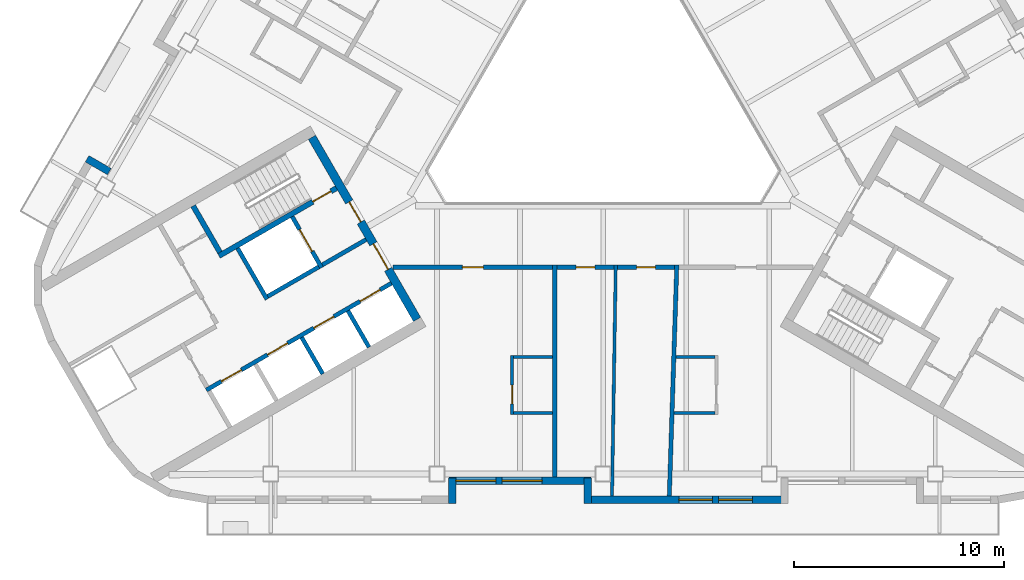
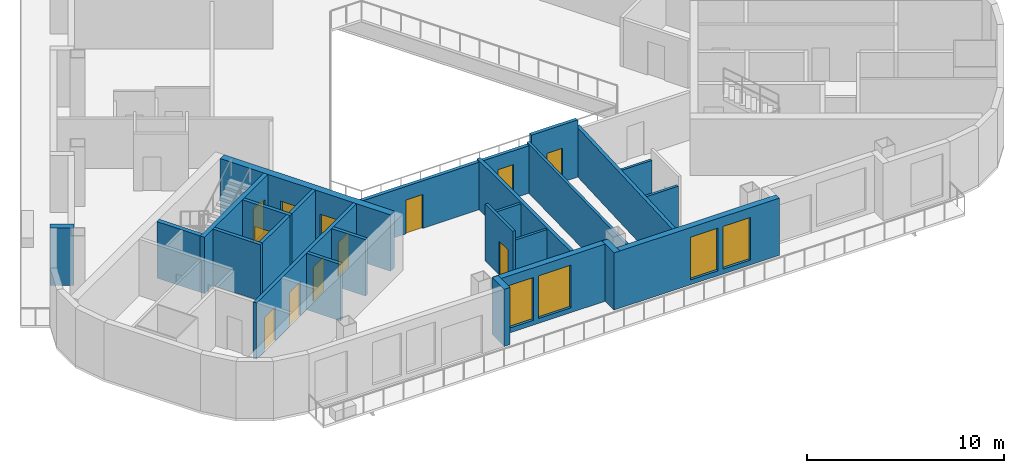
# One storey, part 3 of 14: 26 walls, 12 doors, 4 windows, 16 openings.
"""IFC4 building model written with IfcOpenShell, lengths in metres."""

from ifc_helpers import new_model, si_unit, direction, frame, frame_2d, origin, place, context, subcontext, project, spatial, rectangle, extrude, material, layer, layer_set, type_object, element, fill, save


model = new_model("IFC4")

# Units and contexts
model_context = context("Model", 3, precision=1e-05, world=origin(), true_north=direction((0.0, 1.0)))
body_context = subcontext(model_context, "Body", "Model", "MODEL_VIEW")
ifc_project = project(units=[si_unit("LENGTHUNIT", "METRE"), si_unit("AREAUNIT", "SQUARE_METRE"), si_unit("VOLUMEUNIT", "CUBIC_METRE"), si_unit("PLANEANGLEUNIT", "RADIAN"), si_unit("MASSUNIT", "GRAM", prefix="KILO")], contexts=[model_context])

# Site, building, storey
site_placement = place(None, origin())
site = spatial("IfcSite", under=ifc_project, at=site_placement, CompositionType="ELEMENT")
building_placement = place(site_placement, origin())
building = spatial("IfcBuilding", under=site, at=building_placement, Name="Apuvela Tower Hotel", CompositionType="ELEMENT")
storey_placement = place(building_placement, frame((0.0, 0.0, 209.5)))
storey = spatial("IfcBuildingStorey", under=building, at=storey_placement, Name="L51", CompositionType="ELEMENT", Elevation=209.5)

# Wall, openings, doors
ifc_material_1 = material(Name="Concrete C50/60", Category="concrete")
ifc_layer_1 = layer(ifc_material_1, 0.39990234375)
ifc_layer_set_1 = layer_set([ifc_layer_1], Name="COR-WALL-CORE-400")
wall_type_1 = type_object("IfcWallType", Name="COR-WALL-CORE-400", PredefinedType="SHEAR", material=ifc_layer_set_1)
wall_1_placement = place(storey_placement, frame((-13.844970703125, -2.219970703125, 0.0), z_axis=(0.0, 0.0, 1.0), x_axis=(0.500004234368, -0.866022959057, 0.0)))
wall_1 = element("IfcWall", 1, at=wall_1_placement, inside=storey, type_object=wall_type_1, Name="Core wall SW", PredefinedType="SHEAR", context=body_context, shape_type="SweptSolid", body=[
    extrude(rectangle(XDim=10.0, YDim=0.39990234375, at=frame_2d((5.0, 0.0))), origin(), (0.0, 0.0, 1.0), 3.5),
])
opening_1_placement = place(wall_1_placement, frame((3.550048828125, 0.0, 0.0)))
opening_1 = element("IfcOpeningElement", 2, at=opening_1_placement, cuts=wall_1, Name="Opening W-FD", PredefinedType="OPENING", context=body_context, shape_type="SweptSolid", body=[
    extrude(rectangle(XDim=1.10009765625, YDim=2.10009765625, at=frame_2d((0.550048828125, 1.050048828125))), frame((0.0, 0.2099609375, 0.0), z_axis=(0.0, -1.0, 0.0), x_axis=(1.0, 0.0, 0.0)), (0.0, 0.0, 1.0), 0.419921875),
])
opening_2_placement = place(wall_1_placement, frame((5.85009765625, 0.0, 0.0)))
opening_2 = element("IfcOpeningElement", 3, at=opening_2_placement, cuts=wall_1, Name="Opening W-GD", PredefinedType="OPENING", context=body_context, shape_type="SweptSolid", body=[
    extrude(rectangle(XDim=1.39990234375, YDim=2.10009765625, at=frame_2d((0.699951171875, 1.050048828125))), frame((0.0, 0.2099609375, 0.0), z_axis=(0.0, -1.0, 0.0), x_axis=(1.0, 0.0, 0.0)), (0.0, 0.0, 1.0), 0.419921875),
])
ifc_material_2 = material(Name="Steel fire door, powder coated", Category="steel")
door_type_1 = type_object("IfcDoorType", Name="COR-FD-1100", OperationType="NOTDEFINED", PredefinedType="DOOR", material=ifc_material_2)
door_1_placement = place(opening_1_placement, frame((1.10009765625, 0.0, 0.0), z_axis=(0.0, 0.0, 1.0), x_axis=(-1.0, 0.0, 0.0)))
door_1 = element("IfcDoor", 4, at=door_1_placement, inside=storey, type_object=door_type_1, Name="Firefighting lobby door W-FD", OperationType="SINGLE_SWING_LEFT", OverallHeight=2.10009765625, OverallWidth=1.10009765625, PredefinedType="DOOR", context=body_context, shape_type="SweptSolid", body=[
    extrude(rectangle(XDim=1.10009765625, YDim=2.10009765625, at=frame_2d((0.550048828125, 1.050048828125))), frame((0.0, 0.02490234375, 0.0), z_axis=(0.0, -1.0, 0.0), x_axis=(1.0, 0.0, 0.0)), (0.0, 0.0, 1.0), 0.050048828125),
])
fill(opening_1, door_1)
ifc_material_3 = material(Name="Glazed steel fire door", Category="steel")
door_type_2 = type_object("IfcDoorType", Name="COR-GD-1400", OperationType="DOUBLE_DOOR_SINGLE_SWING", PredefinedType="DOOR", material=ifc_material_3)
door_2_placement = place(opening_2_placement, frame((1.39990234375, 0.0, 0.0), z_axis=(0.0, 0.0, 1.0), x_axis=(-1.0, 0.0, 0.0)))
door_2 = element("IfcDoor", 5, at=door_2_placement, inside=storey, type_object=door_type_2, Name="Lift lobby door W-GD", OperationType="DOUBLE_DOOR_SINGLE_SWING", OverallHeight=2.10009765625, OverallWidth=1.39990234375, PredefinedType="DOOR", context=body_context, shape_type="SweptSolid", body=[
    extrude(rectangle(XDim=1.39990234375, YDim=2.10009765625, at=frame_2d((0.699951171875, 1.050048828125))), frame((0.0, 0.02490234375, 0.0), z_axis=(0.0, -1.0, 0.0), x_axis=(1.0, 0.0, 0.0)), (0.0, 0.0, 1.0), 0.050048828125),
])
fill(opening_2, door_2)

# Wall
ifc_layer_2 = layer(ifc_material_1, 0.199951171875)
ifc_layer_set_2 = layer_set([ifc_layer_2], Name="COR-WALL-SHAFT-200")
wall_type_2 = type_object("IfcWallType", Name="COR-WALL-SHAFT-200", PredefinedType="SHEAR", material=ifc_layer_set_2)
wall_2_placement = place(storey_placement, frame((-17.38134765625, -7.49462890625, 0.0), z_axis=(0.0, 0.0, 1.0), x_axis=(0.500011755427, -0.866018616679, 0.0)))
element("IfcWall", 6, at=wall_2_placement, inside=storey, type_object=wall_type_2, Name="Shaft wall SW", PredefinedType="SHEAR", context=body_context, shape_type="SweptSolid", body=[
    extrude(rectangle(XDim=2.80029296875, YDim=0.199951171875, at=frame_2d((1.400146484375, 0.0))), origin(), (0.0, 0.0, 1.0), 3.5),
])

# Wall, opening, door
wall_3_placement = place(storey_placement, frame((-14.783203125, -5.99462890625, 0.0), z_axis=(0.0, 0.0, 1.0), x_axis=(0.49994636267, -0.866056369097, 0.0)))
wall_3 = element("IfcWall", 7, at=wall_3_placement, inside=storey, type_object=wall_type_2, Name="Shaft wall SW", PredefinedType="SHEAR", context=body_context, shape_type="SweptSolid", body=[
    extrude(rectangle(XDim=2.800048828125, YDim=0.199951171875, at=frame_2d((1.39990234375, 0.0))), origin(), (0.0, 0.0, 1.0), 3.5),
])
opening_3_placement = place(wall_3_placement, frame((0.699951171875, 0.0, 0.0)))
opening_3 = element("IfcOpeningElement", 8, at=opening_3_placement, cuts=wall_3, Name="Opening W-LD-FS2", PredefinedType="OPENING", context=body_context, shape_type="SweptSolid", body=[
    extrude(rectangle(XDim=1.199951171875, YDim=2.10009765625, at=frame_2d((0.60009765625, 1.050048828125))), frame((0.0, 0.10986328125, 0.0), z_axis=(0.0, -1.0, 0.0), x_axis=(1.0, 0.0, 0.0)), (0.0, 0.0, 1.0), 0.219970703125),
])
ifc_material_4 = material(Name="Stainless steel lift landing door", Category="steel")
door_type_3 = type_object("IfcDoorType", Name="COR-LD-1200", OperationType="DOUBLE_DOOR_SLIDING", PredefinedType="DOOR", material=ifc_material_4)
door_3_placement = place(opening_3_placement, origin())
door_3 = element("IfcDoor", 9, at=door_3_placement, inside=storey, type_object=door_type_3, Name="Lift landing door W-LD-FS2", OperationType="DOUBLE_DOOR_SLIDING", OverallHeight=2.10009765625, OverallWidth=1.199951171875, PredefinedType="DOOR", context=body_context, shape_type="SweptSolid", body=[
    extrude(rectangle(XDim=1.199951171875, YDim=2.10009765625, at=frame_2d((0.60009765625, 1.050048828125))), frame((0.0, 0.02490234375, 0.0), z_axis=(0.0, -1.0, 0.0), x_axis=(1.0, 0.0, 0.0)), (0.0, 0.0, 1.0), 0.050048828125),
])
fill(opening_3, door_3)

# Walls
wall_4_placement = place(storey_placement, frame((-13.519775390625, -8.383056640625, 0.0), z_axis=(0.0, 0.0, 1.0), x_axis=(-0.866034573852, -0.49998411664, 0.0)))
element("IfcWall", 10, at=wall_4_placement, inside=storey, type_object=wall_type_2, Name="Shaft wall SW", PredefinedType="SHEAR", context=body_context, shape_type="SweptSolid", body=[
    extrude(rectangle(XDim=2.7998046875, YDim=0.199951171875, at=frame_2d((1.39990234375, 0.0))), origin(), (0.0, 0.0, 1.0), 3.5),
])
wall_5_placement = place(storey_placement, frame((-11.26806640625, -7.0830078125, 0.0), z_axis=(0.0, 0.0, 1.0), x_axis=(-0.866050077142, -0.499957262057, 0.0)))
element("IfcWall", 11, at=wall_5_placement, inside=storey, type_object=wall_type_2, Name="Shaft wall SW", PredefinedType="SHEAR", context=body_context, shape_type="SweptSolid", body=[
    extrude(rectangle(XDim=2.400146484375, YDim=0.199951171875, at=frame_2d((1.2001953125, 0.0))), origin(), (0.0, 0.0, 1.0), 3.5),
])

# Wall, openings, doors
wall_6_placement = place(storey_placement, frame((-10.068115234375, -9.16162109375, 0.0), z_axis=(0.0, 0.0, 1.0), x_axis=(-0.866032725843, -0.499987317609, 0.0)))
wall_6 = element("IfcWall", 12, at=wall_6_placement, inside=storey, type_object=wall_type_2, Name="Shaft wall SW", PredefinedType="SHEAR", context=body_context, shape_type="SweptSolid", body=[
    extrude(rectangle(XDim=10.159912109375, YDim=0.199951171875, at=frame_2d((5.080078125, 0.0))), origin(), (0.0, 0.0, 1.0), 3.5),
])
opening_4_placement = place(wall_6_placement, frame((0.6201171875, 0.0, 0.0)))
opening_4 = element("IfcOpeningElement", 13, at=opening_4_placement, cuts=wall_6, Name="Opening W-LD-MR1", PredefinedType="OPENING", context=body_context, shape_type="SweptSolid", body=[
    extrude(rectangle(XDim=1.10009765625, YDim=2.10009765625, at=frame_2d((0.550048828125, 1.050048828125))), frame((0.0, 0.10986328125, 0.0), z_axis=(0.0, -1.0, 0.0), x_axis=(1.0, 0.0, 0.0)), (0.0, 0.0, 1.0), 0.219970703125),
])
opening_5_placement = place(wall_6_placement, frame((3.159912109375, 0.0, 0.0)))
opening_5 = element("IfcOpeningElement", 14, at=opening_5_placement, cuts=wall_6, Name="Opening W-LD-MR2", PredefinedType="OPENING", context=body_context, shape_type="SweptSolid", body=[
    extrude(rectangle(XDim=1.10009765625, YDim=2.10009765625, at=frame_2d((0.550048828125, 1.050048828125))), frame((0.0, 0.10986328125, 0.0), z_axis=(0.0, -1.0, 0.0), x_axis=(1.0, 0.0, 0.0)), (0.0, 0.0, 1.0), 0.219970703125),
])
opening_6_placement = place(wall_6_placement, frame((5.699951171875, 0.0, 0.0)))
opening_6 = element("IfcOpeningElement", 15, at=opening_6_placement, cuts=wall_6, Name="Opening W-LD-MR3", PredefinedType="OPENING", context=body_context, shape_type="SweptSolid", body=[
    extrude(rectangle(XDim=1.10009765625, YDim=2.10009765625, at=frame_2d((0.550048828125, 1.050048828125))), frame((0.0, 0.10986328125, 0.0), z_axis=(0.0, -1.0, 0.0), x_axis=(1.0, 0.0, 0.0)), (0.0, 0.0, 1.0), 0.219970703125),
])
opening_7_placement = place(wall_6_placement, frame((8.239990234375, 0.0, 0.0)))
opening_7 = element("IfcOpeningElement", 16, at=opening_7_placement, cuts=wall_6, Name="Opening W-LD-MR4", PredefinedType="OPENING", context=body_context, shape_type="SweptSolid", body=[
    extrude(rectangle(XDim=1.10009765625, YDim=2.10009765625, at=frame_2d((0.550048828125, 1.050048828125))), frame((0.0, 0.10986328125, 0.0), z_axis=(0.0, -1.0, 0.0), x_axis=(1.0, 0.0, 0.0)), (0.0, 0.0, 1.0), 0.219970703125),
])
door_type_4 = type_object("IfcDoorType", Name="COR-LD-1100", OperationType="DOUBLE_DOOR_SLIDING", PredefinedType="DOOR", material=ifc_material_4)
door_4_placement = place(opening_4_placement, origin())
door_4 = element("IfcDoor", 17, at=door_4_placement, inside=storey, type_object=door_type_4, Name="Lift landing door W-LD-MR1", OperationType="DOUBLE_DOOR_SLIDING", OverallHeight=2.10009765625, OverallWidth=1.10009765625, PredefinedType="DOOR", context=body_context, shape_type="SweptSolid", body=[
    extrude(rectangle(XDim=1.10009765625, YDim=2.10009765625, at=frame_2d((0.550048828125, 1.050048828125))), frame((0.0, 0.02490234375, 0.0), z_axis=(0.0, -1.0, 0.0), x_axis=(1.0, 0.0, 0.0)), (0.0, 0.0, 1.0), 0.050048828125),
])
fill(opening_4, door_4)
door_5_placement = place(opening_5_placement, origin())
door_5 = element("IfcDoor", 18, at=door_5_placement, inside=storey, type_object=door_type_4, Name="Lift landing door W-LD-MR2", OperationType="DOUBLE_DOOR_SLIDING", OverallHeight=2.10009765625, OverallWidth=1.10009765625, PredefinedType="DOOR", context=body_context, shape_type="SweptSolid", body=[
    extrude(rectangle(XDim=1.10009765625, YDim=2.10009765625, at=frame_2d((0.550048828125, 1.050048828125))), frame((0.0, 0.02490234375, 0.0), z_axis=(0.0, -1.0, 0.0), x_axis=(1.0, 0.0, 0.0)), (0.0, 0.0, 1.0), 0.050048828125),
])
fill(opening_5, door_5)
door_6_placement = place(opening_6_placement, origin())
door_6 = element("IfcDoor", 19, at=door_6_placement, inside=storey, type_object=door_type_4, Name="Lift landing door W-LD-MR3", OperationType="DOUBLE_DOOR_SLIDING", OverallHeight=2.10009765625, OverallWidth=1.10009765625, PredefinedType="DOOR", context=body_context, shape_type="SweptSolid", body=[
    extrude(rectangle(XDim=1.10009765625, YDim=2.10009765625, at=frame_2d((0.550048828125, 1.050048828125))), frame((0.0, 0.02490234375, 0.0), z_axis=(0.0, -1.0, 0.0), x_axis=(1.0, 0.0, 0.0)), (0.0, 0.0, 1.0), 0.050048828125),
])
fill(opening_6, door_6)
door_7_placement = place(opening_7_placement, origin())
door_7 = element("IfcDoor", 20, at=door_7_placement, inside=storey, type_object=door_type_4, Name="Lift landing door W-LD-MR4", OperationType="DOUBLE_DOOR_SLIDING", OverallHeight=2.10009765625, OverallWidth=1.10009765625, PredefinedType="DOOR", context=body_context, shape_type="SweptSolid", body=[
    extrude(rectangle(XDim=1.10009765625, YDim=2.10009765625, at=frame_2d((0.550048828125, 1.050048828125))), frame((0.0, 0.02490234375, 0.0), z_axis=(0.0, -1.0, 0.0), x_axis=(1.0, 0.0, 0.0)), (0.0, 0.0, 1.0), 0.050048828125),
])
fill(opening_7, door_7)

# Walls
for number, where, z_axis, x_axis, name in (
    (21, (-12.131103515625, -10.468017578125, 0.0), (0.0, 0.0, 1.0), (0.499972520799, -0.866041268327, 0.0), "Shaft wall SW"),
    (22, (-14.330810546875, -11.738037109375, 0.0), (0.0, 0.0, 1.0), (0.499972520799, -0.866041268327, 0.0), "Shaft wall SW"),
):
    element("IfcWall", number, at=place(storey_placement, frame(where, z_axis=z_axis, x_axis=x_axis)), inside=storey, type_object=wall_type_2, Name=name, PredefinedType="SHEAR", context=body_context, shape_type="SweptSolid", body=[
        extrude(rectangle(XDim=2.0, YDim=0.199951171875, at=frame_2d((1.0, 0.0))), origin(), (0.0, 0.0, 1.0), 3.5),
    ])

# Wall, opening, door
ifc_layer_3 = layer(ifc_material_1, 0.25)
ifc_layer_set_3 = layer_set([ifc_layer_3], Name="COR-WALL-STAIR-250")
wall_type_3 = type_object("IfcWallType", Name="COR-WALL-STAIR-250", PredefinedType="SHEAR", material=ifc_layer_set_3)
wall_7_placement = place(storey_placement, frame((-12.6806640625, -4.636474609375, 0.0), z_axis=(0.0, 0.0, 1.0), x_axis=(-0.866021702275, -0.500006411147, 0.0)))
wall_7 = element("IfcWall", 23, at=wall_7_placement, inside=storey, type_object=wall_type_3, Name="Stair wall SW", PredefinedType="SHEAR", context=body_context, shape_type="SweptSolid", body=[
    extrude(rectangle(XDim=6.4501953125, YDim=0.25, at=frame_2d((3.22509765625, 0.0))), origin(), (0.0, 0.0, 1.0), 3.5),
])
opening_8_placement = place(wall_7_placement, frame((0.300048828125, 0.0, 0.0)))
opening_8 = element("IfcOpeningElement", 24, at=opening_8_placement, cuts=wall_7, Name="Opening W-SD", PredefinedType="OPENING", context=body_context, shape_type="SweptSolid", body=[
    extrude(rectangle(XDim=1.0, YDim=2.10009765625, at=frame_2d((0.5, 1.050048828125))), frame((0.0, 0.135009765625, 0.0), z_axis=(0.0, -1.0, 0.0), x_axis=(1.0, 0.0, 0.0)), (0.0, 0.0, 1.0), 0.27001953125),
])
door_type_5 = type_object("IfcDoorType", Name="COR-SD-1000", OperationType="NOTDEFINED", PredefinedType="DOOR", material=ifc_material_2)
door_8_placement = place(opening_8_placement, frame((1.0, 0.0, 0.0), z_axis=(0.0, 0.0, 1.0), x_axis=(-1.0, 0.0, 0.0)))
door_8 = element("IfcDoor", 25, at=door_8_placement, inside=storey, type_object=door_type_5, Name="Stair door W-SD", OperationType="SINGLE_SWING_LEFT", OverallHeight=2.10009765625, OverallWidth=1.0, PredefinedType="DOOR", context=body_context, shape_type="SweptSolid", body=[
    extrude(rectangle(XDim=1.0, YDim=2.10009765625, at=frame_2d((0.5, 1.050048828125))), frame((0.0, 0.02490234375, 0.0), z_axis=(0.0, -1.0, 0.0), x_axis=(1.0, 0.0, 0.0)), (0.0, 0.0, 1.0), 0.050048828125),
])
fill(opening_8, door_8)

# Walls
wall_8_placement = place(storey_placement, frame((-19.49560546875, -5.482421875, 0.0), z_axis=(0.0, 0.0, 1.0), x_axis=(0.499990435942, -0.866030925526, 0.0)))
element("IfcWall", 26, at=wall_8_placement, inside=storey, type_object=wall_type_3, Name="Stair wall SW", PredefinedType="SHEAR", context=body_context, shape_type="SweptSolid", body=[
    extrude(rectangle(XDim=2.5498046875, YDim=0.25, at=frame_2d((1.27490234375, 0.0))), origin(), (0.0, 0.0, 1.0), 3.5),
])
ifc_material_5 = material(Name="Concrete C40/50, dark pigmented precast panel", Category="concrete")
ifc_layer_4 = layer(ifc_material_5, 0.35009765625)
ifc_layer_set_4 = layer_set([ifc_layer_4], Name="ENV-WALL-350")
wall_type_4 = type_object("IfcWallType", Name="ENV-WALL-350", PredefinedType="SOLIDWALL", material=ifc_layer_set_4)
for number, where, z_axis, x_axis, name in (
    (27, (-23.48095703125, -3.85009765625, 0.0), (0.0, 0.0, 1.0), (-0.866092288191, 0.499884134912, 0.0), "External wall L51-08"),
    (28, (-7.175048828125, -19.6298828125, 0.0), (0.0, 0.0, 1.0), (0.0, 1.0, 0.0), "External wall L51-18"),
):
    element("IfcWall", number, at=place(storey_placement, frame(where, z_axis=z_axis, x_axis=x_axis)), inside=storey, type_object=wall_type_4, Name=name, PredefinedType="SOLIDWALL", context=body_context, shape_type="SweptSolid", body=[
        extrude(rectangle(XDim=1.219970703125, YDim=0.35009765625, at=frame_2d((0.60986328125, 0.0))), origin(), (0.0, 0.0, 1.0), 3.550048828125),
    ])

# Wall, openings, windows
wall_9_placement = place(storey_placement, frame((-7.320068359375, -18.554931640625, 0.0), z_axis=(0.0, 0.0, 1.0), x_axis=(1.0, 0.0, 0.0)))
wall_9 = element("IfcWall", 29, at=wall_9_placement, inside=storey, type_object=wall_type_4, Name="External wall L51-19", PredefinedType="SOLIDWALL", context=body_context, shape_type="SweptSolid", body=[
    extrude(rectangle(XDim=6.739990234375, YDim=0.35009765625, at=frame_2d((3.3701171875, 0.0))), origin(), (0.0, 0.0, 1.0), 3.550048828125),
])
opening_9_placement = place(wall_9_placement, frame((0.3203125, 0.0, 0.300048828125)))
opening_9 = element("IfcOpeningElement", 30, at=opening_9_placement, cuts=wall_9, Name="Opening WN19", PredefinedType="OPENING", context=body_context, shape_type="SweptSolid", body=[
    extrude(rectangle(XDim=1.89990234375, YDim=2.64990234375, at=frame_2d((0.949951171875, 1.324951171875))), frame((0.0, 0.18505859375, 0.0), z_axis=(0.0, -1.0, 0.0), x_axis=(1.0, 0.0, 0.0)), (0.0, 0.0, 1.0), 0.3701171875),
])
opening_10_placement = place(wall_9_placement, frame((2.5205078125, 0.0, 0.300048828125)))
opening_10 = element("IfcOpeningElement", 31, at=opening_10_placement, cuts=wall_9, Name="Opening WN19", PredefinedType="OPENING", context=body_context, shape_type="SweptSolid", body=[
    extrude(rectangle(XDim=1.89990234375, YDim=2.64990234375, at=frame_2d((0.949951171875, 1.324951171875))), frame((0.0, 0.18505859375, 0.0), z_axis=(0.0, -1.0, 0.0), x_axis=(1.0, 0.0, 0.0)), (0.0, 0.0, 1.0), 0.3701171875),
])
ifc_material_6 = material(Name="Glass, dark tinted laminated insulated glazing unit", Category="glass")
window_type_1 = type_object("IfcWindowType", Name="ENV-WIN-1900x2650", PartitioningType="SINGLE_PANEL", PredefinedType="WINDOW", material=ifc_material_6)
window_1_placement = place(opening_9_placement, origin())
window_1 = element("IfcWindow", 32, at=window_1_placement, inside=storey, type_object=window_type_1, Name="Window WN19", OverallHeight=2.64990234375, OverallWidth=1.89990234375, PartitioningType="SINGLE_PANEL", PredefinedType="WINDOW", context=body_context, shape_type="SweptSolid", body=[
    extrude(rectangle(XDim=1.89990234375, YDim=2.64990234375, at=frame_2d((0.949951171875, 1.324951171875))), frame((0.0, 0.030029296875, 0.0), z_axis=(0.0, -1.0, 0.0), x_axis=(1.0, 0.0, 0.0)), (0.0, 0.0, 1.0), 0.06005859375),
])
fill(opening_9, window_1)
window_2_placement = place(opening_10_placement, origin())
window_2 = element("IfcWindow", 33, at=window_2_placement, inside=storey, type_object=window_type_1, Name="Window WN19", OverallHeight=2.64990234375, OverallWidth=1.89990234375, PartitioningType="SINGLE_PANEL", PredefinedType="WINDOW", context=body_context, shape_type="SweptSolid", body=[
    extrude(rectangle(XDim=1.89990234375, YDim=2.64990234375, at=frame_2d((0.949951171875, 1.324951171875))), frame((0.0, 0.030029296875, 0.0), z_axis=(0.0, -1.0, 0.0), x_axis=(1.0, 0.0, 0.0)), (0.0, 0.0, 1.0), 0.06005859375),
])
fill(opening_10, window_2)

# Wall
wall_10_placement = place(storey_placement, frame((-0.72509765625, -18.409912109375, 0.0), z_axis=(0.0, 0.0, 1.0), x_axis=(0.0, -1.0, 0.0)))
element("IfcWall", 34, at=wall_10_placement, inside=storey, type_object=wall_type_4, Name="External wall L51-20", PredefinedType="SOLIDWALL", context=body_context, shape_type="SweptSolid", body=[
    extrude(rectangle(XDim=1.219970703125, YDim=0.35009765625, at=frame_2d((0.60986328125, 0.0))), origin(), (0.0, 0.0, 1.0), 3.550048828125),
])

# Wall, openings, windows
wall_11_placement = place(storey_placement, frame((-0.89990234375, -19.455078125, 0.0), z_axis=(0.0, 0.0, 1.0), x_axis=(1.0, 0.0, 0.0)))
wall_11 = element("IfcWall", 35, at=wall_11_placement, inside=storey, type_object=wall_type_4, Name="External wall L51-21", PredefinedType="SOLIDWALL", context=body_context, shape_type="SweptSolid", body=[
    extrude(rectangle(XDim=9.699951171875, YDim=0.35009765625, at=frame_2d((4.85009765625, 0.0))), origin(), (0.0, 0.0, 1.0), 3.550048828125),
])
opening_11_placement = place(wall_11_placement, frame((4.5, 0.0, 0.300048828125)))
opening_11 = element("IfcOpeningElement", 36, at=opening_11_placement, cuts=wall_11, Name="Opening WN16", PredefinedType="OPENING", context=body_context, shape_type="SweptSolid", body=[
    extrude(rectangle(XDim=1.60009765625, YDim=2.64990234375, at=frame_2d((0.800048828125, 1.324951171875))), frame((0.0, 0.18505859375, 0.0), z_axis=(0.0, -1.0, 0.0), x_axis=(1.0, 0.0, 0.0)), (0.0, 0.0, 1.0), 0.3701171875),
])
opening_12_placement = place(wall_11_placement, frame((6.39990234375, 0.0, 0.300048828125)))
opening_12 = element("IfcOpeningElement", 37, at=opening_12_placement, cuts=wall_11, Name="Opening WN16", PredefinedType="OPENING", context=body_context, shape_type="SweptSolid", body=[
    extrude(rectangle(XDim=1.60009765625, YDim=2.64990234375, at=frame_2d((0.800048828125, 1.324951171875))), frame((0.0, 0.18505859375, 0.0), z_axis=(0.0, -1.0, 0.0), x_axis=(1.0, 0.0, 0.0)), (0.0, 0.0, 1.0), 0.3701171875),
])
window_type_2 = type_object("IfcWindowType", Name="ENV-WIN-1600x2650", PartitioningType="SINGLE_PANEL", PredefinedType="WINDOW", material=ifc_material_6)
window_3_placement = place(opening_11_placement, origin())
window_3 = element("IfcWindow", 38, at=window_3_placement, inside=storey, type_object=window_type_2, Name="Window WN16", OverallHeight=2.64990234375, OverallWidth=1.60009765625, PartitioningType="SINGLE_PANEL", PredefinedType="WINDOW", context=body_context, shape_type="SweptSolid", body=[
    extrude(rectangle(XDim=1.60009765625, YDim=2.64990234375, at=frame_2d((0.800048828125, 1.324951171875))), frame((0.0, 0.030029296875, 0.0), z_axis=(0.0, -1.0, 0.0), x_axis=(1.0, 0.0, 0.0)), (0.0, 0.0, 1.0), 0.06005859375),
])
fill(opening_11, window_3)
window_4_placement = place(opening_12_placement, origin())
window_4 = element("IfcWindow", 39, at=window_4_placement, inside=storey, type_object=window_type_2, Name="Window WN16", OverallHeight=2.64990234375, OverallWidth=1.60009765625, PartitioningType="SINGLE_PANEL", PredefinedType="WINDOW", context=body_context, shape_type="SweptSolid", body=[
    extrude(rectangle(XDim=1.60009765625, YDim=2.64990234375, at=frame_2d((0.800048828125, 1.324951171875))), frame((0.0, 0.030029296875, 0.0), z_axis=(0.0, -1.0, 0.0), x_axis=(1.0, 0.0, 0.0)), (0.0, 0.0, 1.0), 0.06005859375),
])
fill(opening_12, window_4)

# Walls
ifc_material_7 = material(Name="Gypsum board partition on twin steel stud", Category="steel")
ifc_layer_5 = layer(ifc_material_7, 0.199951171875)
ifc_layer_set_5 = layer_set([ifc_layer_5], Name="GST-PW1")
wall_type_5 = type_object("IfcWallType", Name="GST-PW1", PredefinedType="PARTITIONING", material=ifc_layer_set_5)
wall_12_placement = place(storey_placement, frame((-2.300048828125, -18.3798828125, 0.0), z_axis=(0.0, 0.0, 1.0), x_axis=(0.0, 1.0, 0.0)))
element("IfcWall", 40, at=wall_12_placement, inside=storey, type_object=wall_type_5, Name="L51 partition 01", PredefinedType="PARTITIONING", context=body_context, shape_type="SweptSolid", body=[
    extrude(rectangle(XDim=10.079833984375, YDim=0.199951171875, at=frame_2d((5.0400390625, 0.0))), origin(), (0.0, 0.0, 1.0), 3.06005859375),
])
wall_13_placement = place(storey_placement, frame((3.14990234375, -19.280029296875, 0.0), z_axis=(0.0, 0.0, 1.0), x_axis=(0.032468308586, 0.999472765481, 0.0)))
element("IfcWall", 41, at=wall_13_placement, inside=storey, type_object=wall_type_5, Name="L51 partition 02", PredefinedType="PARTITIONING", context=body_context, shape_type="SweptSolid", body=[
    extrude(rectangle(XDim=10.98583984375, YDim=0.199951171875, at=frame_2d((5.492919921875, 0.0))), origin(), (0.0, 0.0, 1.0), 3.06005859375),
])

# Wall, opening, door
ifc_material_8 = material(Name="Gypsum board corridor wall on twin steel stud, acoustic", Category="steel")
ifc_layer_6 = layer(ifc_material_8, 0.199951171875)
ifc_layer_set_6 = layer_set([ifc_layer_6], Name="GST-PW2")
wall_type_6 = type_object("IfcWallType", Name="GST-PW2", PredefinedType="PARTITIONING", material=ifc_layer_set_6)
wall_14_placement = place(storey_placement, frame((-2.39990234375, -8.39990234375, 0.0), z_axis=(0.0, 0.0, 1.0), x_axis=(-1.0, 0.0, 0.0)))
wall_14 = element("IfcWall", 42, at=wall_14_placement, inside=storey, type_object=wall_type_6, Name="L51 partition 07", PredefinedType="PARTITIONING", context=body_context, shape_type="SweptSolid", body=[
    extrude(rectangle(XDim=7.58837890625, YDim=0.199951171875, at=frame_2d((3.794189453125, 0.0))), origin(), (0.0, 0.0, 1.0), 2.949951171875),
])
opening_13_placement = place(wall_14_placement, frame((3.294189453125, 0.0, 0.0)))
opening_13 = element("IfcOpeningElement", 43, at=opening_13_placement, cuts=wall_14, Name="Opening GD20-02", PredefinedType="OPENING", context=body_context, shape_type="SweptSolid", body=[
    extrude(rectangle(XDim=1.0, YDim=2.10009765625, at=frame_2d((0.5, 1.050048828125))), frame((0.0, 0.10986328125, 0.0), z_axis=(0.0, -1.0, 0.0), x_axis=(1.0, 0.0, 0.0)), (0.0, 0.0, 1.0), 0.219970703125),
])
ifc_material_9 = material(Name="Timber door leaf in steel frame", Category="steel")
door_type_6 = type_object("IfcDoorType", Name="GST-D1", OperationType="NOTDEFINED", PredefinedType="DOOR", material=ifc_material_9)
door_9_placement = place(opening_13_placement, origin())
door_9 = element("IfcDoor", 44, at=door_9_placement, inside=storey, type_object=door_type_6, Name="Door L51-02", OperationType="SINGLE_SWING_LEFT", OverallHeight=2.10009765625, OverallWidth=1.0, PredefinedType="DOOR", context=body_context, shape_type="SweptSolid", body=[
    extrude(rectangle(XDim=1.0, YDim=2.10009765625, at=frame_2d((0.5, 1.050048828125))), frame((0.0, 0.02490234375, 0.0), z_axis=(0.0, -1.0, 0.0), x_axis=(1.0, 0.0, 0.0)), (0.0, 0.0, 1.0), 0.050048828125),
])
fill(opening_13, door_9)

wall_15_placement = place(storey_placement, frame((0.526611328125, -8.39990234375, 0.0), z_axis=(0.0, 0.0, 1.0), x_axis=(-1.0, 0.0, 0.0)))
wall_15 = element("IfcWall", 45, at=wall_15_placement, inside=storey, type_object=wall_type_6, Name="L51 partition 12", PredefinedType="PARTITIONING", context=body_context, shape_type="SweptSolid", body=[
    extrude(rectangle(XDim=2.7265625, YDim=0.199951171875, at=frame_2d((1.36328125, 0.0))), origin(), (0.0, 0.0, 1.0), 2.949951171875),
])
opening_14_placement = place(wall_15_placement, frame((0.913330078125, 0.0, 0.0)))
opening_14 = element("IfcOpeningElement", 46, at=opening_14_placement, cuts=wall_15, Name="Opening GD20-03", PredefinedType="OPENING", context=body_context, shape_type="SweptSolid", body=[
    extrude(rectangle(XDim=0.89990234375, YDim=2.10009765625, at=frame_2d((0.449951171875, 1.050048828125))), frame((0.0, 0.10986328125, 0.0), z_axis=(0.0, -1.0, 0.0), x_axis=(1.0, 0.0, 0.0)), (0.0, 0.0, 1.0), 0.219970703125),
])
door_type_7 = type_object("IfcDoorType", Name="GST-D2", OperationType="NOTDEFINED", PredefinedType="DOOR", material=ifc_material_9)
door_10_placement = place(opening_14_placement, origin())
door_10 = element("IfcDoor", 47, at=door_10_placement, inside=storey, type_object=door_type_7, Name="Door L51-03", OperationType="SINGLE_SWING_LEFT", OverallHeight=2.10009765625, OverallWidth=0.89990234375, PredefinedType="DOOR", context=body_context, shape_type="SweptSolid", body=[
    extrude(rectangle(XDim=0.89990234375, YDim=2.10009765625, at=frame_2d((0.449951171875, 1.050048828125))), frame((0.0, 0.02490234375, 0.0), z_axis=(0.0, -1.0, 0.0), x_axis=(1.0, 0.0, 0.0)), (0.0, 0.0, 1.0), 0.050048828125),
])
fill(opening_14, door_10)

wall_16_placement = place(storey_placement, frame((3.4033203125, -8.39990234375, 0.0), z_axis=(0.0, 0.0, 1.0), x_axis=(-1.0, 0.0, 0.0)))
wall_16 = element("IfcWall", 48, at=wall_16_placement, inside=storey, type_object=wall_type_6, Name="L51 partition 13", PredefinedType="PARTITIONING", context=body_context, shape_type="SweptSolid", body=[
    extrude(rectangle(XDim=2.726806640625, YDim=0.199951171875, at=frame_2d((1.36328125, 0.0))), origin(), (0.0, 0.0, 1.0), 3.550048828125),
])
opening_15_placement = place(wall_16_placement, frame((0.913330078125, 0.0, 0.0)))
opening_15 = element("IfcOpeningElement", 49, at=opening_15_placement, cuts=wall_16, Name="Opening GD20-04", PredefinedType="OPENING", context=body_context, shape_type="SweptSolid", body=[
    extrude(rectangle(XDim=0.89990234375, YDim=2.10009765625, at=frame_2d((0.449951171875, 1.050048828125))), frame((0.0, 0.10986328125, 0.0), z_axis=(0.0, -1.0, 0.0), x_axis=(1.0, 0.0, 0.0)), (0.0, 0.0, 1.0), 0.219970703125),
])
door_11_placement = place(opening_15_placement, origin())
door_11 = element("IfcDoor", 50, at=door_11_placement, inside=storey, type_object=door_type_7, Name="Door L51-04", OperationType="SINGLE_SWING_RIGHT", OverallHeight=2.10009765625, OverallWidth=0.89990234375, PredefinedType="DOOR", context=body_context, shape_type="SweptSolid", body=[
    extrude(rectangle(XDim=0.89990234375, YDim=2.10009765625, at=frame_2d((0.449951171875, 1.050048828125))), frame((0.0, 0.02490234375, 0.0), z_axis=(0.0, -1.0, 0.0), x_axis=(1.0, 0.0, 0.0)), (0.0, 0.0, 1.0), 0.050048828125),
])
fill(opening_15, door_11)

ifc_material_10 = material(Name="Moisture-resistant gypsum board wet wall on steel stud", Category="steel")
ifc_layer_7 = layer(ifc_material_10, 0.14990234375)
ifc_layer_set_7 = layer_set([ifc_layer_7], Name="GST-PW3")
wall_type_7 = type_object("IfcWallType", Name="GST-PW3", PredefinedType="PARTITIONING", material=ifc_layer_set_7)
wall_17_placement = place(storey_placement, frame((-4.324951171875, -12.60009765625, 0.0), z_axis=(0.0, 0.0, 1.0), x_axis=(0.0, -1.0, 0.0)))
wall_17 = element("IfcWall", 51, at=wall_17_placement, inside=storey, type_object=wall_type_7, Name="L51 partition 08", PredefinedType="PARTITIONING", context=body_context, shape_type="SweptSolid", body=[
    extrude(rectangle(XDim=2.7998046875, YDim=0.14990234375, at=frame_2d((1.39990234375, 0.0))), origin(), (0.0, 0.0, 1.0), 3.550048828125),
])
opening_16_placement = place(wall_17_placement, frame((1.39990234375, 0.0, 0.0)))
opening_16 = element("IfcOpeningElement", 52, at=opening_16_placement, cuts=wall_17, Name="Opening GD20-01", PredefinedType="OPENING", context=body_context, shape_type="SweptSolid", body=[
    extrude(rectangle(XDim=0.89990234375, YDim=2.10009765625, at=frame_2d((0.449951171875, 1.050048828125))), frame((0.0, 0.0849609375, 0.0), z_axis=(0.0, -1.0, 0.0), x_axis=(1.0, 0.0, 0.0)), (0.0, 0.0, 1.0), 0.169921875),
])
door_12_placement = place(opening_16_placement, origin())
door_12 = element("IfcDoor", 53, at=door_12_placement, inside=storey, type_object=door_type_7, Name="Door L51-01", OperationType="SINGLE_SWING_RIGHT", OverallHeight=2.10009765625, OverallWidth=0.89990234375, PredefinedType="DOOR", context=body_context, shape_type="SweptSolid", body=[
    extrude(rectangle(XDim=0.89990234375, YDim=2.10009765625, at=frame_2d((0.449951171875, 1.050048828125))), frame((0.0, 0.02490234375, 0.0), z_axis=(0.0, -1.0, 0.0), x_axis=(1.0, 0.0, 0.0)), (0.0, 0.0, 1.0), 0.050048828125),
])
fill(opening_16, door_12)

# Walls
for number, where, z_axis, x_axis, name in (
    (54, (-4.25, -15.324951171875, 0.0), (0.0, 0.0, 1.0), (1.0, 0.0, 0.0), "L51 partition 09"),
    (55, (-4.25, -12.675048828125, 0.0), (0.0, 0.0, 1.0), (1.0, 0.0, 0.0), "L51 partition 10"),
):
    element("IfcWall", number, at=place(storey_placement, frame(where, z_axis=z_axis, x_axis=x_axis)), inside=storey, type_object=wall_type_7, Name=name, PredefinedType="PARTITIONING", context=body_context, shape_type="SweptSolid", body=[
        extrude(rectangle(XDim=1.85009765625, YDim=0.14990234375, at=frame_2d((0.925048828125, 0.0))), origin(), (0.0, 0.0, 1.0), 2.949951171875),
    ])
wall_18_placement = place(storey_placement, frame((0.425048828125, -19.280029296875, 0.0), z_axis=(0.0, 0.0, 1.0), x_axis=(0.016229462675, 0.999868293597, 0.0)))
element("IfcWall", 56, at=wall_18_placement, inside=storey, type_object=wall_type_7, Name="L51 partition 11", PredefinedType="PARTITIONING", context=body_context, shape_type="SweptSolid", body=[
    extrude(rectangle(XDim=10.9814453125, YDim=0.14990234375, at=frame_2d((5.49072265625, 0.0))), origin(), (0.0, 0.0, 1.0), 3.06005859375),
])
wall_19_placement = place(storey_placement, frame((3.37841796875, -15.324951171875, 0.0), z_axis=(0.0, 0.0, 1.0), x_axis=(1.0, 0.0, 0.0)))
element("IfcWall", 57, at=wall_19_placement, inside=storey, type_object=wall_type_7, Name="L51 partition 16", PredefinedType="PARTITIONING", context=body_context, shape_type="SweptSolid", body=[
    extrude(rectangle(XDim=1.9384765625, YDim=0.14990234375, at=frame_2d((0.96923828125, 0.0))), origin(), (0.0, 0.0, 1.0), 2.949951171875),
])
wall_20_placement = place(storey_placement, frame((3.464599609375, -12.675048828125, 0.0), z_axis=(0.0, 0.0, 1.0), x_axis=(1.0, 0.0, 0.0)))
element("IfcWall", 58, at=wall_20_placement, inside=storey, type_object=wall_type_7, Name="L51 partition 17", PredefinedType="PARTITIONING", context=body_context, shape_type="SweptSolid", body=[
    extrude(rectangle(XDim=1.852294921875, YDim=0.14990234375, at=frame_2d((0.92626953125, 0.0))), origin(), (0.0, 0.0, 1.0), 2.949951171875),
])

save(model, "model.ifc")
